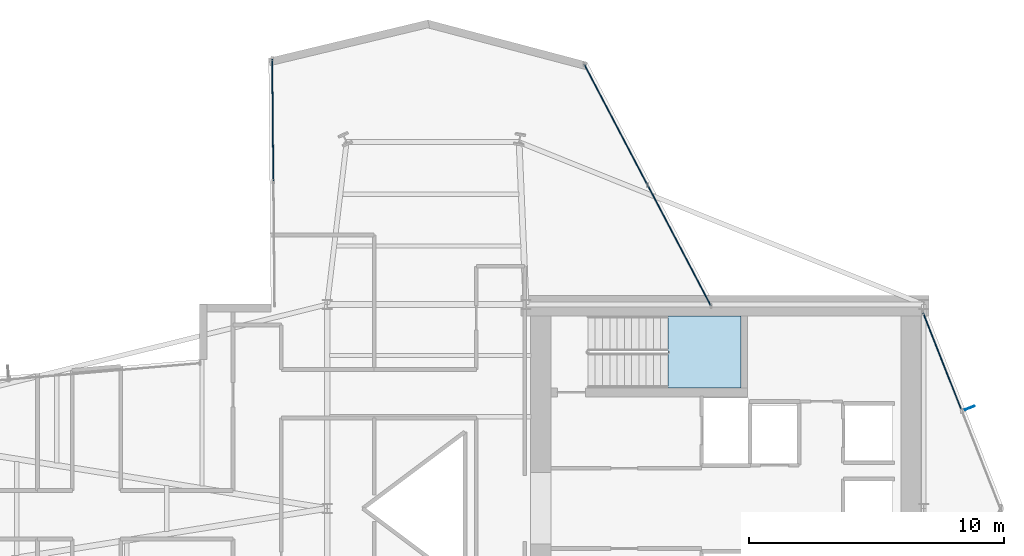
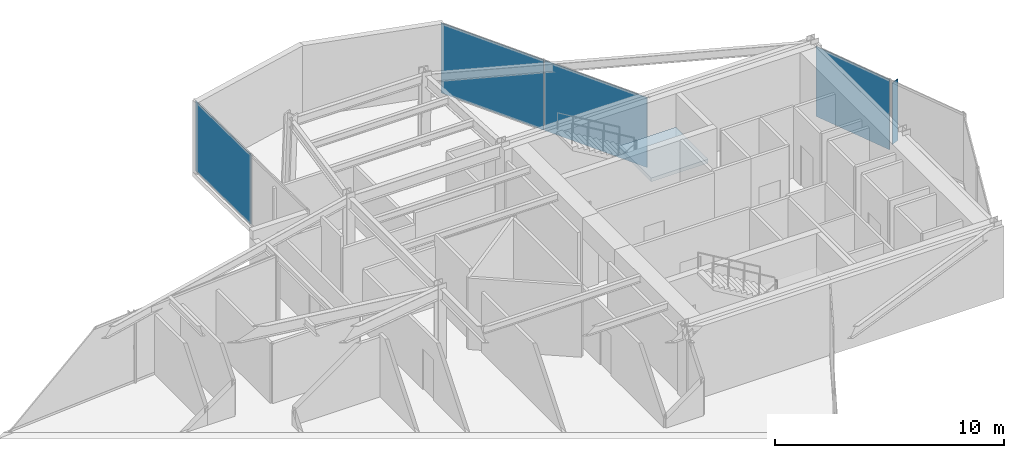
# One storey, part 21 of 25: 5 plates, 1 slab, 4 elements without a shape of their own.
"""IFC4 building model written with IfcOpenShell, lengths in metres."""

from ifc_helpers import new_model, si_unit, direction, frame, origin, origin_2d, place, context, subcontext, project, spatial, polyline, rectangle, outline, extrude, material, layer, layer_set, type_object, element, aggregate, save


model = new_model("IFC4")

# Units and contexts
model_context = context("Model", 3, precision=1e-05, world=origin(), true_north=direction((0.0, 1.0)))
body_context = subcontext(model_context, "Body", "Model", "MODEL_VIEW")
ifc_project = project(units=[si_unit("LENGTHUNIT", "METRE"), si_unit("AREAUNIT", "SQUARE_METRE"), si_unit("VOLUMEUNIT", "CUBIC_METRE"), si_unit("PLANEANGLEUNIT", "RADIAN"), si_unit("MASSUNIT", "GRAM", prefix="KILO")], contexts=[model_context])

# Site, building, storey
site_placement = place(None, origin())
site = spatial("IfcSite", under=ifc_project, at=site_placement, CompositionType="ELEMENT")
building_placement = place(site_placement, origin())
building = spatial("IfcBuilding", under=site, at=building_placement, Name="Veymaron Broadcast Tower", CompositionType="ELEMENT")
storey_placement = place(building_placement, frame((0.0, 0.0, 149.25)))
storey = spatial("IfcBuildingStorey", under=building, at=storey_placement, Name="L34", CompositionType="ELEMENT", Elevation=149.25)

# Curtain wall, plate
ifc_material_1 = material(Name="Anodised aluminium AA 6063-T6 and laminated low-E dark glass", Category="aluminium")
ifc_layer_1 = layer(ifc_material_1, 0.179931640625)
ifc_layer_set_1 = layer_set([ifc_layer_1], Name="Anodised aluminium AA 6063-T6 and laminated low-E dark glass")
curtain_wall_type = type_object("IfcCurtainWallType", Name="CW-SYS-03", PredefinedType="NOTDEFINED", material=ifc_layer_set_1)
curtain_wall_1_placement = place(storey_placement, origin())
curtain_wall_1 = element("IfcCurtainWall", 1, at=curtain_wall_1_placement, inside=storey, type_object=curtain_wall_type, Name="L34 dark-glass curtain wall CW-L34-E3-1", PredefinedType="NOTDEFINED")
ifc_material_2 = material(Name="Insulated dark-anodised aluminium spandrel panel 40 mm", Category="aluminium")
ifc_layer_2 = layer(ifc_material_2, 0.0400390625)
ifc_layer_set_2 = layer_set([ifc_layer_2], Name="Insulated dark-anodised aluminium spandrel panel 40 mm")
plate_type_1 = type_object("IfcPlateType", Name="CW-PNL-03", PredefinedType="CURTAIN_PANEL", material=ifc_layer_set_2)
plate_1_placement = place(storey_placement, frame((55.331787109375, 29.759521484375, 0.0400390625), z_axis=(0.0, 0.0, 1.0), x_axis=(-0.366371312352, 0.930468732137, 0.0)))
plate_1 = element("IfcPlate", 2, at=plate_1_placement, type_object=plate_type_1, Name="CW-L34-E3-1 unitised curtain panel 1", PredefinedType="CURTAIN_PANEL", context=body_context, shape_type="SweptSolid", body=[
    extrude(rectangle(XDim=4.103515625, YDim=0.0400390625, at=origin_2d()), origin(), (0.0, 0.0, 1.0), 3.72998046875),
])
aggregate(curtain_wall_1, [plate_1])

# Curtain wall, plates
curtain_wall_2_placement = place(storey_placement, origin())
curtain_wall_2 = element("IfcCurtainWall", 3, at=curtain_wall_2_placement, inside=storey, type_object=curtain_wall_type, Name="L34 dark-glass curtain wall CW-L34-E5-1", PredefinedType="NOTDEFINED")
plate_2_placement = place(storey_placement, frame((45.0107421875, 34.31005859375, 0.0400390625), z_axis=(0.0, 0.0, 1.0), x_axis=(-0.46447113214, 0.885588260654, 0.0)))
plate_2 = element("IfcPlate", 4, at=plate_2_placement, type_object=plate_type_1, Name="CW-L34-E5-1 unitised curtain panel 0", PredefinedType="CURTAIN_PANEL", context=body_context, shape_type="SweptSolid", body=[
    extrude(rectangle(XDim=5.3037109375, YDim=0.0400390625, at=origin_2d()), origin(), (0.0, 0.0, 1.0), 3.72998046875),
])
plate_3_placement = place(storey_placement, frame((42.519287109375, 39.06005859375, 0.0400390625), z_axis=(0.0, 0.0, 1.0), x_axis=(-0.46447113214, 0.885588260654, 0.0)))
plate_3 = element("IfcPlate", 5, at=plate_3_placement, type_object=plate_type_1, Name="CW-L34-E5-1 unitised curtain panel 1", PredefinedType="CURTAIN_PANEL", context=body_context, shape_type="SweptSolid", body=[
    extrude(rectangle(XDim=5.3037109375, YDim=0.0400390625, at=origin_2d()), origin(), (0.0, 0.0, 1.0), 3.72998046875),
])
aggregate(curtain_wall_2, [plate_2, plate_3])

# Curtain wall, plate
curtain_wall_3_placement = place(storey_placement, origin())
curtain_wall_3 = element("IfcCurtainWall", 6, at=curtain_wall_3_placement, inside=storey, type_object=curtain_wall_type, Name="L34 dark-glass curtain wall CW-L34-E8-1", PredefinedType="NOTDEFINED")
plate_4_placement = place(storey_placement, frame((29.064697265625, 39.23876953125, 0.0400390625), z_axis=(0.0, 0.0, 1.0), x_axis=(0.009354828341, -0.999956242636, 0.0)))
plate_4 = element("IfcPlate", 7, at=plate_4_placement, type_object=plate_type_1, Name="CW-L34-E8-1 unitised curtain panel 0", PredefinedType="CURTAIN_PANEL", context=body_context, shape_type="SweptSolid", body=[
    extrude(rectangle(XDim=4.76513671875, YDim=0.0400390625, at=origin_2d()), origin(), (0.0, 0.0, 1.0), 3.72998046875),
])
aggregate(curtain_wall_3, [plate_4])

# Plate
ifc_material_3 = material(Name="Dark-anodised aluminium AA 6061-T6", Category="aluminium")
ifc_layer_3 = layer(ifc_material_3, 0.031982421875)
ifc_layer_set_3 = layer_set([ifc_layer_3], Name="Dark-anodised aluminium AA 6061-T6")
plate_type_2 = type_object("IfcPlateType", Name="FIN-CHEV-03", PredefinedType="USERDEFINED", material=ifc_layer_set_3)
plate_5_placement = place(storey_placement, frame((56.401611328125, 27.943603515625, 0.2666015625), z_axis=(0.0, 0.0, 1.0), x_axis=(0.930468732137, 0.366371312352, 0.0)))
element("IfcPlate", 8, at=plate_5_placement, inside=storey, type_object=plate_type_2, Name="CW-L34-E3-1 chevron fin 1", ObjectType="FIN", PredefinedType="USERDEFINED", context=body_context, shape_type="SweptSolid", body=[
    extrude(rectangle(XDim=0.39990234375, YDim=0.034912109375, at=origin_2d()), origin(), (0.0, 0.0, 1.0), 3.276611328125),
])

# Stair, slab
ifc_material_4 = material(Name="Concrete C50/60", Category="concrete")
stair_type = type_object("IfcStairType", Name="STAIR-CORE-1", PredefinedType="HALF_TURN_STAIR", material=ifc_material_4)
stair_placement = place(storey_placement, origin())
stair = element("IfcStair", 9, at=stair_placement, inside=storey, type_object=stair_type, Name="L34 North protected dog-leg exit stair ST1", PredefinedType="HALF_TURN_STAIR")
ifc_layer_4 = layer(ifc_material_4, 0.199951171875)
ifc_layer_set_4 = layer_set([ifc_layer_4], Name="Concrete C50/60")
slab_type = type_object("IfcSlabType", Name="SLAB-STAIR-LDG", PredefinedType="LANDING", material=ifc_layer_set_4)
slab_placement = place(storey_placement, frame((0.0, 0.0, 1.824951171875)))
slab = element("IfcSlab", 10, at=slab_placement, type_object=slab_type, Name="ST1 landing 1", PredefinedType="LANDING", context=body_context, shape_type="SweptSolid", body=[
    extrude(outline(polyline([(44.56494140625, 28.72998046875), (47.43994140625, 28.72998046875), (47.43994140625, 31.550048828125), (44.56494140625, 31.550048828125), (44.56494140625, 28.72998046875)])), origin(), (0.0, 0.0, 1.0), 0.199951171875),
])
aggregate(stair, [slab])

save(model, "model.ifc")
